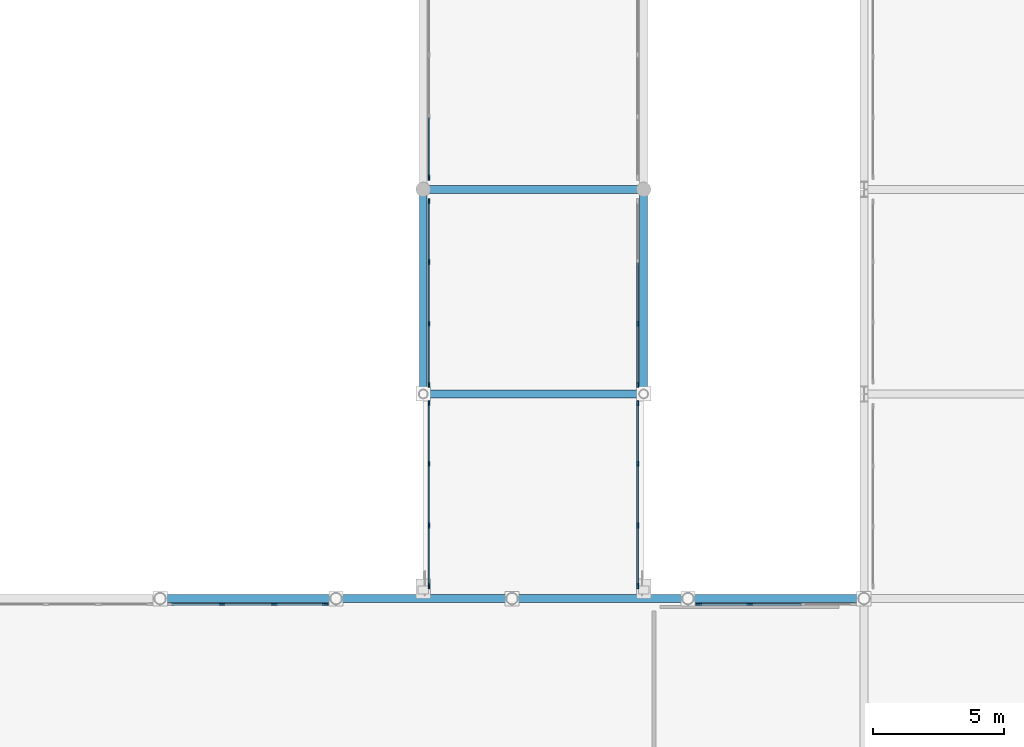
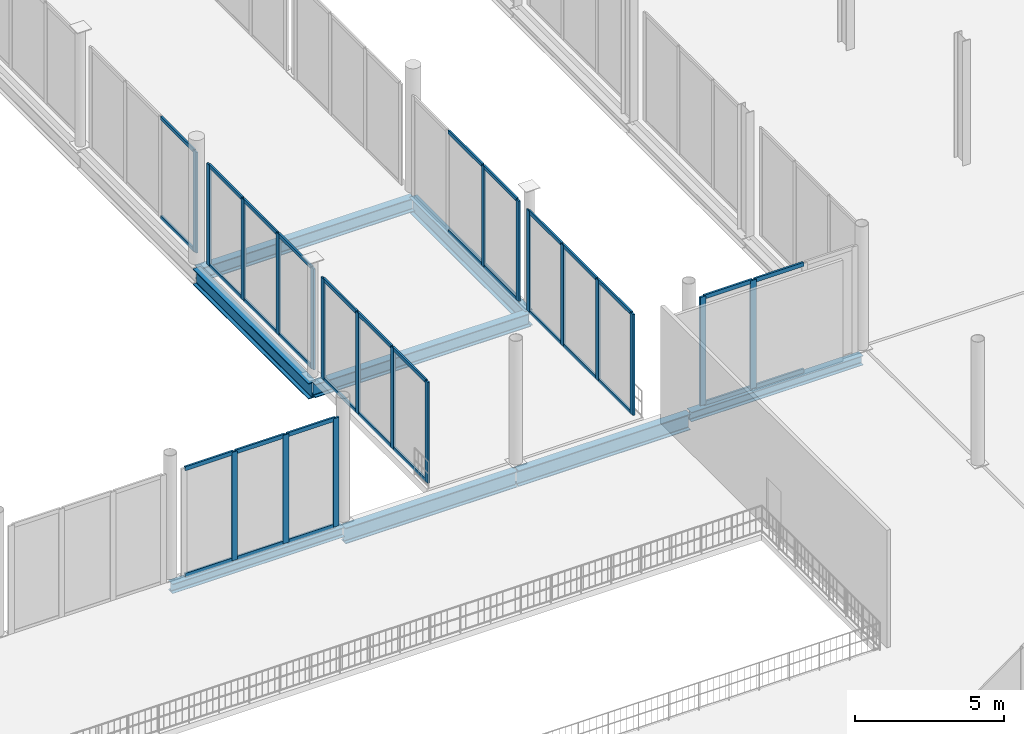
# One storey, part 37 of 105: 54 members, 8 beams, 7 elements without a shape of their own.
"""IFC4 building model written with IfcOpenShell, lengths in metres."""

from ifc_helpers import new_model, si_unit, direction, frame, origin, origin_2d, place, context, subcontext, project, spatial, rectangle, i_section, extrude, material, material_profile, profile_set, type_object, element, aggregate, save


model = new_model("IFC4")

# Units and contexts
model_context = context("Model", 3, precision=1e-05, world=origin(), true_north=direction((0.0, 1.0)))
body_context = subcontext(model_context, "Body", "Model", "MODEL_VIEW")
ifc_project = project(units=[si_unit("LENGTHUNIT", "METRE"), si_unit("AREAUNIT", "SQUARE_METRE"), si_unit("VOLUMEUNIT", "CUBIC_METRE"), si_unit("PLANEANGLEUNIT", "RADIAN"), si_unit("MASSUNIT", "GRAM", prefix="KILO")], contexts=[model_context])

# Site, building, storey
site_placement = place(None, origin())
site = spatial("IfcSite", under=ifc_project, at=site_placement, CompositionType="ELEMENT")
building_placement = place(site_placement, origin())
building = spatial("IfcBuilding", under=site, at=building_placement, Name="Nabrawat Pavilion Hospital", CompositionType="ELEMENT")
storey_placement = place(building_placement, frame((0.0, 0.0, 5.10009765625)))
storey = spatial("IfcBuildingStorey", under=building, at=storey_placement, Name="L01", CompositionType="ELEMENT", Elevation=5.10009765625)

# Beams
ifc_material_1 = material(Name="Steel S355", Category="steel")
ifc_material_profile_1 = material_profile(ifc_material_1, i_section(OverallWidth=0.300048828125, OverallDepth=0.64990234375, WebThickness=0.01611328125, FlangeThickness=0.031005859375, FilletRadius=0.027099609375, at=origin_2d()), Name="HEB 650")
ifc_profile_set_1 = profile_set([ifc_material_profile_1], Name="Steel S355")
beam_type_1 = type_object("IfcBeamType", Name="Courtyard Link Bridge Edge Girder HEB 650", PredefinedType="USERDEFINED", material=ifc_profile_set_1)
for number, where, z_axis, x_axis, name in (
    (1, (105.89599609375, 39.0, -0.614990234375), (1.0, 0.0, 0.0), (0.0, 1.0, 0.0), "L01 Courtyard Link Bridge Girder 525"),
    (2, (112.60400390625, 39.0, -0.614990234375), (1.0, 0.0, 0.0), (0.0, 1.0, 0.0), "L01 Courtyard Link Bridge Girder 526"),
):
    element("IfcBeam", number, at=place(storey_placement, frame(where, z_axis=z_axis, x_axis=x_axis)), inside=storey, type_object=beam_type_1, Name=name, ObjectType="GIRDER", PredefinedType="USERDEFINED", context=body_context, shape_type="SweptSolid", body=[
        extrude(i_section(OverallWidth=0.300048828125, OverallDepth=0.64990234375, WebThickness=0.01611328125, FlangeThickness=0.031005859375, FilletRadius=0.027099609375, at=origin_2d()), origin(), (0.0, 0.0, 1.0), 6.66796875),
    ])
for number, where, z_axis, x_axis, name in (
    (3, (109.199951171875, 46.820068359375, -0.614990234375), (0.0, 1.0, 0.0), (-1.0, 0.0, 0.0), "L01 Courtyard Link Bridge Edge Girder 780"),
    (4, (117.60009765625, 46.820068359375, -0.614990234375), (0.0, 1.0, 0.0), (-1.0, 0.0, 0.0), "L01 Courtyard Link Bridge Edge Girder 789"),
):
    element("IfcBeam", number, at=place(storey_placement, frame(where, z_axis=z_axis, x_axis=x_axis)), inside=storey, type_object=beam_type_1, Name=name, ObjectType="GIRDER", PredefinedType="USERDEFINED", context=body_context, shape_type="SweptSolid", body=[
        extrude(i_section(OverallWidth=0.300048828125, OverallDepth=0.64990234375, WebThickness=0.01611328125, FlangeThickness=0.031005859375, FilletRadius=0.027099609375, at=origin_2d()), origin(), (0.0, 0.0, 1.0), 7.760009765625),
    ])

# Curtain wall, members
ifc_material_2 = material(Name="Anodised Aluminium", Category="aluminium")
curtain_wall_type_1 = type_object("IfcCurtainWallType", Name="Courtyard Link Bridge Glazed Curtain Wall", PredefinedType="USERDEFINED", material=ifc_material_2)
curtain_wall_1_placement = place(storey_placement, origin())
curtain_wall_1 = element("IfcCurtainWall", 5, at=curtain_wall_1_placement, inside=storey, type_object=curtain_wall_type_1, Name="L01 Courtyard Link Bridge Glazed Curtain Wall 071", ObjectType="CURTAIN WALL", PredefinedType="USERDEFINED")
ifc_material_profile_2 = material_profile(ifc_material_2, rectangle(XDim=0.070068359375, YDim=0.199951171875, at=origin_2d()), Name="CWM 70x200")
ifc_profile_set_2 = profile_set([ifc_material_profile_2], Name="Anodised Aluminium")
member_type_1 = type_object("IfcMemberType", Name="Courtyard Link Bridge Glazed Curtain Wall Mullion CWM 70x200", PredefinedType="MULLION", material=ifc_profile_set_2)
member_1_placement = place(storey_placement, frame((109.419921875, 39.47509765625, 0.0), z_axis=(0.0, 0.0, 1.0), x_axis=(-1.0, 0.0, 0.0)))
member_1 = element("IfcMember", 6, at=member_1_placement, type_object=member_type_1, Name="CW-BRG-01 mullion 1", PredefinedType="MULLION", context=body_context, shape_type="SweptSolid", body=[
    extrude(rectangle(XDim=0.070068359375, YDim=0.199951171875, at=origin_2d()), origin(), (0.0, 0.0, 1.0), 4.139892578125),
])
member_2_placement = place(storey_placement, frame((109.419921875, 41.787353515625, 0.0), z_axis=(0.0, 0.0, 1.0), x_axis=(-1.0, 0.0, 0.0)))
member_2 = element("IfcMember", 7, at=member_2_placement, type_object=member_type_1, Name="CW-BRG-01 mullion 2", PredefinedType="MULLION", context=body_context, shape_type="SweptSolid", body=[
    extrude(rectangle(XDim=0.070068359375, YDim=0.199951171875, at=origin_2d()), origin(), (0.0, 0.0, 1.0), 4.139892578125),
])
member_3_placement = place(storey_placement, frame((109.419921875, 44.134765625, 0.0), z_axis=(0.0, 0.0, 1.0), x_axis=(-1.0, 0.0, 0.0)))
member_3 = element("IfcMember", 8, at=member_3_placement, type_object=member_type_1, Name="CW-BRG-01 mullion 3", PredefinedType="MULLION", context=body_context, shape_type="SweptSolid", body=[
    extrude(rectangle(XDim=0.070068359375, YDim=0.199951171875, at=origin_2d()), origin(), (0.0, 0.0, 1.0), 4.139892578125),
])
member_4_placement = place(storey_placement, frame((109.419921875, 46.447265625, 0.0), z_axis=(0.0, 0.0, 1.0), x_axis=(-1.0, 0.0, 0.0)))
member_4 = element("IfcMember", 9, at=member_4_placement, type_object=member_type_1, Name="CW-BRG-01 mullion 4", PredefinedType="MULLION", context=body_context, shape_type="SweptSolid", body=[
    extrude(rectangle(XDim=0.070068359375, YDim=0.199951171875, at=origin_2d()), origin(), (0.0, 0.0, 1.0), 4.139892578125),
])

curtain_wall_2_placement = place(storey_placement, origin())
curtain_wall_2 = element("IfcCurtainWall", 10, at=curtain_wall_2_placement, inside=storey, type_object=curtain_wall_type_1, Name="L01 Courtyard Link Bridge Glazed Curtain Wall 072", ObjectType="CURTAIN WALL", PredefinedType="USERDEFINED")
member_5_placement = place(storey_placement, frame((109.419921875, 47.15283203125, 0.0), z_axis=(0.0, 0.0, 1.0), x_axis=(-1.0, 0.0, 0.0)))
member_5 = element("IfcMember", 11, at=member_5_placement, type_object=member_type_1, Name="CW-BRG-01 mullion 1", PredefinedType="MULLION", context=body_context, shape_type="SweptSolid", body=[
    extrude(rectangle(XDim=0.070068359375, YDim=0.199951171875, at=origin_2d()), origin(), (0.0, 0.0, 1.0), 4.139892578125),
])
member_6_placement = place(storey_placement, frame((109.419921875, 49.4736328125, 0.0), z_axis=(0.0, 0.0, 1.0), x_axis=(-1.0, 0.0, 0.0)))
member_6 = element("IfcMember", 12, at=member_6_placement, type_object=member_type_1, Name="CW-BRG-01 mullion 2", PredefinedType="MULLION", context=body_context, shape_type="SweptSolid", body=[
    extrude(rectangle(XDim=0.070068359375, YDim=0.199951171875, at=origin_2d()), origin(), (0.0, 0.0, 1.0), 4.139892578125),
])
member_7_placement = place(storey_placement, frame((109.419921875, 51.829345703125, 0.0), z_axis=(0.0, 0.0, 1.0), x_axis=(-1.0, 0.0, 0.0)))
member_7 = element("IfcMember", 13, at=member_7_placement, type_object=member_type_1, Name="CW-BRG-01 mullion 3", PredefinedType="MULLION", context=body_context, shape_type="SweptSolid", body=[
    extrude(rectangle(XDim=0.070068359375, YDim=0.199951171875, at=origin_2d()), origin(), (0.0, 0.0, 1.0), 4.139892578125),
])
member_8_placement = place(storey_placement, frame((109.419921875, 54.14990234375, 0.0), z_axis=(0.0, 0.0, 1.0), x_axis=(-1.0, 0.0, 0.0)))
member_8 = element("IfcMember", 14, at=member_8_placement, type_object=member_type_1, Name="CW-BRG-01 mullion 4", PredefinedType="MULLION", context=body_context, shape_type="SweptSolid", body=[
    extrude(rectangle(XDim=0.070068359375, YDim=0.199951171875, at=origin_2d()), origin(), (0.0, 0.0, 1.0), 4.139892578125),
])

# Curtain wall, member
curtain_wall_3_placement = place(storey_placement, origin())
curtain_wall_3 = element("IfcCurtainWall", 15, at=curtain_wall_3_placement, inside=storey, type_object=curtain_wall_type_1, Name="L01 Courtyard Link Bridge Glazed Curtain Wall 073", ObjectType="CURTAIN WALL", PredefinedType="USERDEFINED")
member_9_placement = place(storey_placement, frame((109.419921875, 55.050048828125, 0.0), z_axis=(0.0, 0.0, 1.0), x_axis=(-1.0, 0.0, 0.0)))
member_9 = element("IfcMember", 16, at=member_9_placement, type_object=member_type_1, Name="CW-BRG-01 mullion 1", PredefinedType="MULLION", context=body_context, shape_type="SweptSolid", body=[
    extrude(rectangle(XDim=0.070068359375, YDim=0.199951171875, at=origin_2d()), origin(), (0.0, 0.0, 1.0), 4.139892578125),
])

# Curtain wall, members
curtain_wall_4_placement = place(storey_placement, origin())
curtain_wall_4 = element("IfcCurtainWall", 17, at=curtain_wall_4_placement, inside=storey, type_object=curtain_wall_type_1, Name="L01 Courtyard Link Bridge Glazed Curtain Wall 077", ObjectType="CURTAIN WALL", PredefinedType="USERDEFINED")
member_10_placement = place(storey_placement, frame((117.3798828125, 39.47509765625, 0.0), z_axis=(0.0, 0.0, 1.0), x_axis=(-1.0, 0.0, 0.0)))
member_10 = element("IfcMember", 18, at=member_10_placement, type_object=member_type_1, Name="CW-BRG-01 mullion 1", PredefinedType="MULLION", context=body_context, shape_type="SweptSolid", body=[
    extrude(rectangle(XDim=0.070068359375, YDim=0.199951171875, at=origin_2d()), origin(), (0.0, 0.0, 1.0), 4.139892578125),
])
member_11_placement = place(storey_placement, frame((117.3798828125, 41.787353515625, 0.0), z_axis=(0.0, 0.0, 1.0), x_axis=(-1.0, 0.0, 0.0)))
member_11 = element("IfcMember", 19, at=member_11_placement, type_object=member_type_1, Name="CW-BRG-01 mullion 2", PredefinedType="MULLION", context=body_context, shape_type="SweptSolid", body=[
    extrude(rectangle(XDim=0.070068359375, YDim=0.199951171875, at=origin_2d()), origin(), (0.0, 0.0, 1.0), 4.139892578125),
])
member_12_placement = place(storey_placement, frame((117.3798828125, 44.134765625, 0.0), z_axis=(0.0, 0.0, 1.0), x_axis=(-1.0, 0.0, 0.0)))
member_12 = element("IfcMember", 20, at=member_12_placement, type_object=member_type_1, Name="CW-BRG-01 mullion 3", PredefinedType="MULLION", context=body_context, shape_type="SweptSolid", body=[
    extrude(rectangle(XDim=0.070068359375, YDim=0.199951171875, at=origin_2d()), origin(), (0.0, 0.0, 1.0), 4.139892578125),
])
member_13_placement = place(storey_placement, frame((117.3798828125, 46.447265625, 0.0), z_axis=(0.0, 0.0, 1.0), x_axis=(-1.0, 0.0, 0.0)))
member_13 = element("IfcMember", 21, at=member_13_placement, type_object=member_type_1, Name="CW-BRG-01 mullion 4", PredefinedType="MULLION", context=body_context, shape_type="SweptSolid", body=[
    extrude(rectangle(XDim=0.070068359375, YDim=0.199951171875, at=origin_2d()), origin(), (0.0, 0.0, 1.0), 4.139892578125),
])

curtain_wall_5_placement = place(storey_placement, origin())
curtain_wall_5 = element("IfcCurtainWall", 22, at=curtain_wall_5_placement, inside=storey, type_object=curtain_wall_type_1, Name="L01 Courtyard Link Bridge Glazed Curtain Wall 078", ObjectType="CURTAIN WALL", PredefinedType="USERDEFINED")
member_14_placement = place(storey_placement, frame((117.3798828125, 47.15283203125, 0.0), z_axis=(0.0, 0.0, 1.0), x_axis=(-1.0, 0.0, 0.0)))
member_14 = element("IfcMember", 23, at=member_14_placement, type_object=member_type_1, Name="CW-BRG-01 mullion 1", PredefinedType="MULLION", context=body_context, shape_type="SweptSolid", body=[
    extrude(rectangle(XDim=0.070068359375, YDim=0.199951171875, at=origin_2d()), origin(), (0.0, 0.0, 1.0), 4.139892578125),
])
member_15_placement = place(storey_placement, frame((117.3798828125, 49.4736328125, 0.0), z_axis=(0.0, 0.0, 1.0), x_axis=(-1.0, 0.0, 0.0)))
member_15 = element("IfcMember", 24, at=member_15_placement, type_object=member_type_1, Name="CW-BRG-01 mullion 2", PredefinedType="MULLION", context=body_context, shape_type="SweptSolid", body=[
    extrude(rectangle(XDim=0.070068359375, YDim=0.199951171875, at=origin_2d()), origin(), (0.0, 0.0, 1.0), 4.139892578125),
])

# Member
ifc_material_profile_3 = material_profile(ifc_material_2, rectangle(XDim=0.070068359375, YDim=0.14990234375, at=origin_2d()), Name="CWT 70x150")
ifc_profile_set_3 = profile_set([ifc_material_profile_3], Name="Anodised Aluminium")
member_type_2 = type_object("IfcMemberType", Name="Courtyard Link Bridge Glazed Curtain Wall Transom CWT 70x150", PredefinedType="USERDEFINED", material=ifc_profile_set_3)
member_16_placement = place(storey_placement, frame((109.419921875, 39.510009765625, 0.034912109375), z_axis=(0.0, 1.0, 0.0), x_axis=(-1.0, 0.0, 0.0)))
member_16 = element("IfcMember", 25, at=member_16_placement, type_object=member_type_2, Name="CW-BRG-01 transom 1.1", ObjectType="TRANSOM", PredefinedType="USERDEFINED", context=body_context, shape_type="SweptSolid", body=[
    extrude(rectangle(XDim=0.070068359375, YDim=0.14990234375, at=origin_2d()), origin(), (0.0, 0.0, 1.0), 2.242431640625),
])

member_17_placement = place(storey_placement, frame((109.419921875, 39.510009765625, 4.10498046875), z_axis=(0.0, 1.0, 0.0), x_axis=(-1.0, 0.0, 0.0)))
member_17 = element("IfcMember", 26, at=member_17_placement, type_object=member_type_2, Name="CW-BRG-01 transom 1.2", ObjectType="TRANSOM", PredefinedType="USERDEFINED", context=body_context, shape_type="SweptSolid", body=[
    extrude(rectangle(XDim=0.070068359375, YDim=0.14990234375, at=origin_2d()), origin(), (0.0, 0.0, 1.0), 2.242431640625),
])

member_18_placement = place(storey_placement, frame((109.419921875, 41.822509765625, 0.034912109375), z_axis=(0.0, 1.0, 0.0), x_axis=(-1.0, 0.0, 0.0)))
member_18 = element("IfcMember", 27, at=member_18_placement, type_object=member_type_2, Name="CW-BRG-01 transom 2.1", ObjectType="TRANSOM", PredefinedType="USERDEFINED", context=body_context, shape_type="SweptSolid", body=[
    extrude(rectangle(XDim=0.070068359375, YDim=0.14990234375, at=origin_2d()), origin(), (0.0, 0.0, 1.0), 2.27734375),
])

member_19_placement = place(storey_placement, frame((109.419921875, 41.822509765625, 4.10498046875), z_axis=(0.0, 1.0, 0.0), x_axis=(-1.0, 0.0, 0.0)))
member_19 = element("IfcMember", 28, at=member_19_placement, type_object=member_type_2, Name="CW-BRG-01 transom 2.2", ObjectType="TRANSOM", PredefinedType="USERDEFINED", context=body_context, shape_type="SweptSolid", body=[
    extrude(rectangle(XDim=0.070068359375, YDim=0.14990234375, at=origin_2d()), origin(), (0.0, 0.0, 1.0), 2.27734375),
])

member_20_placement = place(storey_placement, frame((109.419921875, 44.169921875, 0.034912109375), z_axis=(0.0, 1.0, 0.0), x_axis=(-1.0, 0.0, 0.0)))
member_20 = element("IfcMember", 29, at=member_20_placement, type_object=member_type_2, Name="CW-BRG-01 transom 3.1", ObjectType="TRANSOM", PredefinedType="USERDEFINED", context=body_context, shape_type="SweptSolid", body=[
    extrude(rectangle(XDim=0.070068359375, YDim=0.14990234375, at=origin_2d()), origin(), (0.0, 0.0, 1.0), 2.2421875),
])

member_21_placement = place(storey_placement, frame((109.419921875, 44.169921875, 4.10498046875), z_axis=(0.0, 1.0, 0.0), x_axis=(-1.0, 0.0, 0.0)))
member_21 = element("IfcMember", 30, at=member_21_placement, type_object=member_type_2, Name="CW-BRG-01 transom 3.2", ObjectType="TRANSOM", PredefinedType="USERDEFINED", context=body_context, shape_type="SweptSolid", body=[
    extrude(rectangle(XDim=0.070068359375, YDim=0.14990234375, at=origin_2d()), origin(), (0.0, 0.0, 1.0), 2.2421875),
])

aggregate(curtain_wall_1, [member_1, member_2, member_3, member_4, member_16, member_17, member_18, member_19, member_20, member_21])

member_22_placement = place(storey_placement, frame((109.419921875, 47.187744140625, 0.034912109375), z_axis=(0.0, 1.0, 0.0), x_axis=(-1.0, 0.0, 0.0)))
member_22 = element("IfcMember", 31, at=member_22_placement, type_object=member_type_2, Name="CW-BRG-01 transom 1.1", ObjectType="TRANSOM", PredefinedType="USERDEFINED", context=body_context, shape_type="SweptSolid", body=[
    extrude(rectangle(XDim=0.070068359375, YDim=0.14990234375, at=origin_2d()), origin(), (0.0, 0.0, 1.0), 2.250732421875),
])

member_23_placement = place(storey_placement, frame((109.419921875, 47.187744140625, 4.10498046875), z_axis=(0.0, 1.0, 0.0), x_axis=(-1.0, 0.0, 0.0)))
member_23 = element("IfcMember", 32, at=member_23_placement, type_object=member_type_2, Name="CW-BRG-01 transom 1.2", ObjectType="TRANSOM", PredefinedType="USERDEFINED", context=body_context, shape_type="SweptSolid", body=[
    extrude(rectangle(XDim=0.070068359375, YDim=0.14990234375, at=origin_2d()), origin(), (0.0, 0.0, 1.0), 2.250732421875),
])

member_24_placement = place(storey_placement, frame((109.419921875, 49.508544921875, 0.034912109375), z_axis=(0.0, 1.0, 0.0), x_axis=(-1.0, 0.0, 0.0)))
member_24 = element("IfcMember", 33, at=member_24_placement, type_object=member_type_2, Name="CW-BRG-01 transom 2.1", ObjectType="TRANSOM", PredefinedType="USERDEFINED", context=body_context, shape_type="SweptSolid", body=[
    extrude(rectangle(XDim=0.070068359375, YDim=0.14990234375, at=origin_2d()), origin(), (0.0, 0.0, 1.0), 2.28564453125),
])

member_25_placement = place(storey_placement, frame((109.419921875, 49.508544921875, 4.10498046875), z_axis=(0.0, 1.0, 0.0), x_axis=(-1.0, 0.0, 0.0)))
member_25 = element("IfcMember", 34, at=member_25_placement, type_object=member_type_2, Name="CW-BRG-01 transom 2.2", ObjectType="TRANSOM", PredefinedType="USERDEFINED", context=body_context, shape_type="SweptSolid", body=[
    extrude(rectangle(XDim=0.070068359375, YDim=0.14990234375, at=origin_2d()), origin(), (0.0, 0.0, 1.0), 2.28564453125),
])

member_26_placement = place(storey_placement, frame((109.419921875, 51.8642578125, 0.034912109375), z_axis=(0.0, 1.0, 0.0), x_axis=(-1.0, 0.0, 0.0)))
member_26 = element("IfcMember", 35, at=member_26_placement, type_object=member_type_2, Name="CW-BRG-01 transom 3.1", ObjectType="TRANSOM", PredefinedType="USERDEFINED", context=body_context, shape_type="SweptSolid", body=[
    extrude(rectangle(XDim=0.070068359375, YDim=0.14990234375, at=origin_2d()), origin(), (0.0, 0.0, 1.0), 2.250732421875),
])

member_27_placement = place(storey_placement, frame((109.419921875, 51.8642578125, 4.10498046875), z_axis=(0.0, 1.0, 0.0), x_axis=(-1.0, 0.0, 0.0)))
member_27 = element("IfcMember", 36, at=member_27_placement, type_object=member_type_2, Name="CW-BRG-01 transom 3.2", ObjectType="TRANSOM", PredefinedType="USERDEFINED", context=body_context, shape_type="SweptSolid", body=[
    extrude(rectangle(XDim=0.070068359375, YDim=0.14990234375, at=origin_2d()), origin(), (0.0, 0.0, 1.0), 2.250732421875),
])

aggregate(curtain_wall_2, [member_5, member_6, member_7, member_8, member_22, member_23, member_24, member_25, member_26, member_27])

member_28_placement = place(storey_placement, frame((109.419921875, 55.0849609375, 0.034912109375), z_axis=(0.0, 1.0, 0.0), x_axis=(-1.0, 0.0, 0.0)))
member_28 = element("IfcMember", 37, at=member_28_placement, type_object=member_type_2, Name="CW-BRG-01 transom 1.1", ObjectType="TRANSOM", PredefinedType="USERDEFINED", context=body_context, shape_type="SweptSolid", body=[
    extrude(rectangle(XDim=0.070068359375, YDim=0.14990234375, at=origin_2d()), origin(), (0.0, 0.0, 1.0), 2.250732421875),
])

member_29_placement = place(storey_placement, frame((109.419921875, 55.0849609375, 4.10498046875), z_axis=(0.0, 1.0, 0.0), x_axis=(-1.0, 0.0, 0.0)))
member_29 = element("IfcMember", 38, at=member_29_placement, type_object=member_type_2, Name="CW-BRG-01 transom 1.2", ObjectType="TRANSOM", PredefinedType="USERDEFINED", context=body_context, shape_type="SweptSolid", body=[
    extrude(rectangle(XDim=0.070068359375, YDim=0.14990234375, at=origin_2d()), origin(), (0.0, 0.0, 1.0), 2.250732421875),
])

aggregate(curtain_wall_3, [member_9, member_28, member_29])

member_30_placement = place(storey_placement, frame((117.3798828125, 39.510009765625, 0.034912109375), z_axis=(0.0, 1.0, 0.0), x_axis=(-1.0, 0.0, 0.0)))
member_30 = element("IfcMember", 39, at=member_30_placement, type_object=member_type_2, Name="CW-BRG-01 transom 1.1", ObjectType="TRANSOM", PredefinedType="USERDEFINED", context=body_context, shape_type="SweptSolid", body=[
    extrude(rectangle(XDim=0.070068359375, YDim=0.14990234375, at=origin_2d()), origin(), (0.0, 0.0, 1.0), 2.242431640625),
])

member_31_placement = place(storey_placement, frame((117.3798828125, 39.510009765625, 4.10498046875), z_axis=(0.0, 1.0, 0.0), x_axis=(-1.0, 0.0, 0.0)))
member_31 = element("IfcMember", 40, at=member_31_placement, type_object=member_type_2, Name="CW-BRG-01 transom 1.2", ObjectType="TRANSOM", PredefinedType="USERDEFINED", context=body_context, shape_type="SweptSolid", body=[
    extrude(rectangle(XDim=0.070068359375, YDim=0.14990234375, at=origin_2d()), origin(), (0.0, 0.0, 1.0), 2.242431640625),
])

member_32_placement = place(storey_placement, frame((117.3798828125, 41.822509765625, 0.034912109375), z_axis=(0.0, 1.0, 0.0), x_axis=(-1.0, 0.0, 0.0)))
member_32 = element("IfcMember", 41, at=member_32_placement, type_object=member_type_2, Name="CW-BRG-01 transom 2.1", ObjectType="TRANSOM", PredefinedType="USERDEFINED", context=body_context, shape_type="SweptSolid", body=[
    extrude(rectangle(XDim=0.070068359375, YDim=0.14990234375, at=origin_2d()), origin(), (0.0, 0.0, 1.0), 2.27734375),
])

member_33_placement = place(storey_placement, frame((117.3798828125, 41.822509765625, 4.10498046875), z_axis=(0.0, 1.0, 0.0), x_axis=(-1.0, 0.0, 0.0)))
member_33 = element("IfcMember", 42, at=member_33_placement, type_object=member_type_2, Name="CW-BRG-01 transom 2.2", ObjectType="TRANSOM", PredefinedType="USERDEFINED", context=body_context, shape_type="SweptSolid", body=[
    extrude(rectangle(XDim=0.070068359375, YDim=0.14990234375, at=origin_2d()), origin(), (0.0, 0.0, 1.0), 2.27734375),
])

member_34_placement = place(storey_placement, frame((117.3798828125, 44.169921875, 0.034912109375), z_axis=(0.0, 1.0, 0.0), x_axis=(-1.0, 0.0, 0.0)))
member_34 = element("IfcMember", 43, at=member_34_placement, type_object=member_type_2, Name="CW-BRG-01 transom 3.1", ObjectType="TRANSOM", PredefinedType="USERDEFINED", context=body_context, shape_type="SweptSolid", body=[
    extrude(rectangle(XDim=0.070068359375, YDim=0.14990234375, at=origin_2d()), origin(), (0.0, 0.0, 1.0), 2.2421875),
])

member_35_placement = place(storey_placement, frame((117.3798828125, 44.169921875, 4.10498046875), z_axis=(0.0, 1.0, 0.0), x_axis=(-1.0, 0.0, 0.0)))
member_35 = element("IfcMember", 44, at=member_35_placement, type_object=member_type_2, Name="CW-BRG-01 transom 3.2", ObjectType="TRANSOM", PredefinedType="USERDEFINED", context=body_context, shape_type="SweptSolid", body=[
    extrude(rectangle(XDim=0.070068359375, YDim=0.14990234375, at=origin_2d()), origin(), (0.0, 0.0, 1.0), 2.2421875),
])

aggregate(curtain_wall_4, [member_10, member_11, member_12, member_13, member_30, member_31, member_32, member_33, member_34, member_35])

member_36_placement = place(storey_placement, frame((117.3798828125, 47.187744140625, 0.034912109375), z_axis=(0.0, 1.0, 0.0), x_axis=(-1.0, 0.0, 0.0)))
member_36 = element("IfcMember", 45, at=member_36_placement, type_object=member_type_2, Name="CW-BRG-01 transom 1.1", ObjectType="TRANSOM", PredefinedType="USERDEFINED", context=body_context, shape_type="SweptSolid", body=[
    extrude(rectangle(XDim=0.070068359375, YDim=0.14990234375, at=origin_2d()), origin(), (0.0, 0.0, 1.0), 2.250732421875),
])

member_37_placement = place(storey_placement, frame((117.3798828125, 47.187744140625, 4.10498046875), z_axis=(0.0, 1.0, 0.0), x_axis=(-1.0, 0.0, 0.0)))
member_37 = element("IfcMember", 46, at=member_37_placement, type_object=member_type_2, Name="CW-BRG-01 transom 1.2", ObjectType="TRANSOM", PredefinedType="USERDEFINED", context=body_context, shape_type="SweptSolid", body=[
    extrude(rectangle(XDim=0.070068359375, YDim=0.14990234375, at=origin_2d()), origin(), (0.0, 0.0, 1.0), 2.250732421875),
])

member_38_placement = place(storey_placement, frame((117.3798828125, 49.508544921875, 0.034912109375), z_axis=(0.0, 1.0, 0.0), x_axis=(-1.0, 0.0, 0.0)))
member_38 = element("IfcMember", 47, at=member_38_placement, type_object=member_type_2, Name="CW-BRG-01 transom 2.1", ObjectType="TRANSOM", PredefinedType="USERDEFINED", context=body_context, shape_type="SweptSolid", body=[
    extrude(rectangle(XDim=0.070068359375, YDim=0.14990234375, at=origin_2d()), origin(), (0.0, 0.0, 1.0), 2.28564453125),
])

member_39_placement = place(storey_placement, frame((117.3798828125, 49.508544921875, 4.10498046875), z_axis=(0.0, 1.0, 0.0), x_axis=(-1.0, 0.0, 0.0)))
member_39 = element("IfcMember", 48, at=member_39_placement, type_object=member_type_2, Name="CW-BRG-01 transom 2.2", ObjectType="TRANSOM", PredefinedType="USERDEFINED", context=body_context, shape_type="SweptSolid", body=[
    extrude(rectangle(XDim=0.070068359375, YDim=0.14990234375, at=origin_2d()), origin(), (0.0, 0.0, 1.0), 2.28564453125),
])

aggregate(curtain_wall_5, [member_14, member_15, member_36, member_37, member_38, member_39])

# Curtain wall, members
curtain_wall_type_2 = type_object("IfcCurtainWallType", Name="Main Hall Pavilion Unitised Curtain Wall", PredefinedType="USERDEFINED", material=ifc_material_2)
curtain_wall_6_placement = place(storey_placement, origin())
curtain_wall_6 = element("IfcCurtainWall", 49, at=curtain_wall_6_placement, inside=storey, type_object=curtain_wall_type_2, Name="L01 Main Hall Pavilion Unitised Curtain Wall 067", ObjectType="CURTAIN WALL", PredefinedType="USERDEFINED")
ifc_material_profile_4 = material_profile(ifc_material_2, rectangle(XDim=0.074951171875, YDim=0.219970703125, at=origin_2d()), Name="CWM 75x220")
ifc_profile_set_4 = profile_set([ifc_material_profile_4], Name="Anodised Aluminium")
member_type_3 = type_object("IfcMemberType", Name="Main Hall Pavilion Unitised Curtain Wall Mullion CWM 75x220", PredefinedType="MULLION", material=ifc_profile_set_4)
member_40_placement = place(storey_placement, frame((101.52685546875, 38.780029296875, 0.0), z_axis=(0.0, 0.0, 1.0), x_axis=(0.0, 1.0, 0.0)))
member_40 = element("IfcMember", 50, at=member_40_placement, type_object=member_type_3, Name="CW-MH-01 mullion 2", PredefinedType="MULLION", context=body_context, shape_type="SweptSolid", body=[
    extrude(rectangle(XDim=0.074951171875, YDim=0.219970703125, at=origin_2d()), origin(), (0.0, 0.0, 1.0), 4.449951171875),
])
member_41_placement = place(storey_placement, frame((103.51708984375, 38.780029296875, 0.0), z_axis=(0.0, 0.0, 1.0), x_axis=(0.0, 1.0, 0.0)))
member_41 = element("IfcMember", 51, at=member_41_placement, type_object=member_type_3, Name="CW-MH-01 mullion 3", PredefinedType="MULLION", context=body_context, shape_type="SweptSolid", body=[
    extrude(rectangle(XDim=0.074951171875, YDim=0.219970703125, at=origin_2d()), origin(), (0.0, 0.0, 1.0), 4.449951171875),
])
member_42_placement = place(storey_placement, frame((105.469970703125, 38.780029296875, 0.0), z_axis=(0.0, 0.0, 1.0), x_axis=(0.0, 1.0, 0.0)))
member_42 = element("IfcMember", 52, at=member_42_placement, type_object=member_type_3, Name="CW-MH-01 mullion 4", PredefinedType="MULLION", context=body_context, shape_type="SweptSolid", body=[
    extrude(rectangle(XDim=0.074951171875, YDim=0.219970703125, at=origin_2d()), origin(), (0.0, 0.0, 1.0), 4.449951171875),
])

curtain_wall_7_placement = place(storey_placement, origin())
curtain_wall_7 = element("IfcCurtainWall", 53, at=curtain_wall_7_placement, inside=storey, type_object=curtain_wall_type_2, Name="L01 Main Hall Pavilion Unitised Curtain Wall 083", ObjectType="CURTAIN WALL", PredefinedType="USERDEFINED")
member_43_placement = place(storey_placement, frame((119.697998046875, 38.780029296875, 0.0), z_axis=(0.0, 0.0, 1.0), x_axis=(0.0, 1.0, 0.0)))
member_43 = element("IfcMember", 54, at=member_43_placement, type_object=member_type_3, Name="CW-MH-01 mullion 1", PredefinedType="MULLION", context=body_context, shape_type="SweptSolid", body=[
    extrude(rectangle(XDim=0.074951171875, YDim=0.219970703125, at=origin_2d()), origin(), (0.0, 0.0, 1.0), 4.43994140625),
])
member_44_placement = place(storey_placement, frame((121.65087890625, 38.780029296875, 0.0), z_axis=(0.0, 0.0, 1.0), x_axis=(0.0, 1.0, 0.0)))
member_44 = element("IfcMember", 55, at=member_44_placement, type_object=member_type_3, Name="CW-MH-01 mullion 2", PredefinedType="MULLION", context=body_context, shape_type="SweptSolid", body=[
    extrude(rectangle(XDim=0.074951171875, YDim=0.219970703125, at=origin_2d()), origin(), (0.0, 0.0, 1.0), 4.43994140625),
])

# Member
ifc_material_profile_5 = material_profile(ifc_material_2, rectangle(XDim=0.074951171875, YDim=0.1650390625, at=origin_2d()), Name="CWT 75x165")
ifc_profile_set_5 = profile_set([ifc_material_profile_5], Name="Anodised Aluminium")
member_type_4 = type_object("IfcMemberType", Name="Main Hall Pavilion Unitised Curtain Wall Transom CWT 75x165", PredefinedType="USERDEFINED", material=ifc_profile_set_5)
member_45_placement = place(storey_placement, frame((99.611572265625, 38.780029296875, 0.037353515625), z_axis=(1.0, 0.0, 0.0), x_axis=(0.0, 1.0, 0.0)))
member_45 = element("IfcMember", 56, at=member_45_placement, type_object=member_type_4, Name="CW-MH-01 transom 1.1", ObjectType="TRANSOM", PredefinedType="USERDEFINED", context=body_context, shape_type="SweptSolid", body=[
    extrude(rectangle(XDim=0.074951171875, YDim=0.1650390625, at=origin_2d()), origin(), (0.0, 0.0, 1.0), 1.877685546875),
])

member_46_placement = place(storey_placement, frame((99.611572265625, 38.780029296875, 4.412353515625), z_axis=(1.0, 0.0, 0.0), x_axis=(0.0, 1.0, 0.0)))
member_46 = element("IfcMember", 57, at=member_46_placement, type_object=member_type_4, Name="CW-MH-01 transom 1.2", ObjectType="TRANSOM", PredefinedType="USERDEFINED", context=body_context, shape_type="SweptSolid", body=[
    extrude(rectangle(XDim=0.074951171875, YDim=0.1650390625, at=origin_2d()), origin(), (0.0, 0.0, 1.0), 1.877685546875),
])

member_47_placement = place(storey_placement, frame((101.564453125, 38.780029296875, 0.037353515625), z_axis=(1.0, 0.0, 0.0), x_axis=(0.0, 1.0, 0.0)))
member_47 = element("IfcMember", 58, at=member_47_placement, type_object=member_type_4, Name="CW-MH-01 transom 2.1", ObjectType="TRANSOM", PredefinedType="USERDEFINED", context=body_context, shape_type="SweptSolid", body=[
    extrude(rectangle(XDim=0.074951171875, YDim=0.1650390625, at=origin_2d()), origin(), (0.0, 0.0, 1.0), 1.915283203125),
])

member_48_placement = place(storey_placement, frame((101.564453125, 38.780029296875, 4.412353515625), z_axis=(1.0, 0.0, 0.0), x_axis=(0.0, 1.0, 0.0)))
member_48 = element("IfcMember", 59, at=member_48_placement, type_object=member_type_4, Name="CW-MH-01 transom 2.2", ObjectType="TRANSOM", PredefinedType="USERDEFINED", context=body_context, shape_type="SweptSolid", body=[
    extrude(rectangle(XDim=0.074951171875, YDim=0.1650390625, at=origin_2d()), origin(), (0.0, 0.0, 1.0), 1.915283203125),
])

member_49_placement = place(storey_placement, frame((103.5546875, 38.780029296875, 0.037353515625), z_axis=(1.0, 0.0, 0.0), x_axis=(0.0, 1.0, 0.0)))
member_49 = element("IfcMember", 60, at=member_49_placement, type_object=member_type_4, Name="CW-MH-01 transom 3.1", ObjectType="TRANSOM", PredefinedType="USERDEFINED", context=body_context, shape_type="SweptSolid", body=[
    extrude(rectangle(XDim=0.074951171875, YDim=0.1650390625, at=origin_2d()), origin(), (0.0, 0.0, 1.0), 1.8779296875),
])

member_50_placement = place(storey_placement, frame((103.5546875, 38.780029296875, 4.412353515625), z_axis=(1.0, 0.0, 0.0), x_axis=(0.0, 1.0, 0.0)))
member_50 = element("IfcMember", 61, at=member_50_placement, type_object=member_type_4, Name="CW-MH-01 transom 3.2", ObjectType="TRANSOM", PredefinedType="USERDEFINED", context=body_context, shape_type="SweptSolid", body=[
    extrude(rectangle(XDim=0.074951171875, YDim=0.1650390625, at=origin_2d()), origin(), (0.0, 0.0, 1.0), 1.8779296875),
])

aggregate(curtain_wall_6, [member_40, member_41, member_42, member_45, member_46, member_47, member_48, member_49, member_50])

member_51_placement = place(storey_placement, frame((119.735595703125, 38.780029296875, 0.037353515625), z_axis=(1.0, 0.0, 0.0), x_axis=(0.0, 1.0, 0.0)))
member_51 = element("IfcMember", 62, at=member_51_placement, type_object=member_type_4, Name="CW-MH-01 transom 1.1", ObjectType="TRANSOM", PredefinedType="USERDEFINED", context=body_context, shape_type="SweptSolid", body=[
    extrude(rectangle(XDim=0.074951171875, YDim=0.1650390625, at=origin_2d()), origin(), (0.0, 0.0, 1.0), 1.877685546875),
])

member_52_placement = place(storey_placement, frame((119.735595703125, 38.780029296875, 4.40234375), z_axis=(1.0, 0.0, 0.0), x_axis=(0.0, 1.0, 0.0)))
member_52 = element("IfcMember", 63, at=member_52_placement, type_object=member_type_4, Name="CW-MH-01 transom 1.2", ObjectType="TRANSOM", PredefinedType="USERDEFINED", context=body_context, shape_type="SweptSolid", body=[
    extrude(rectangle(XDim=0.074951171875, YDim=0.1650390625, at=origin_2d()), origin(), (0.0, 0.0, 1.0), 1.877685546875),
])

member_53_placement = place(storey_placement, frame((121.688232421875, 38.780029296875, 0.037353515625), z_axis=(1.0, 0.0, 0.0), x_axis=(0.0, 1.0, 0.0)))
member_53 = element("IfcMember", 64, at=member_53_placement, type_object=member_type_4, Name="CW-MH-01 transom 2.1", ObjectType="TRANSOM", PredefinedType="USERDEFINED", context=body_context, shape_type="SweptSolid", body=[
    extrude(rectangle(XDim=0.074951171875, YDim=0.1650390625, at=origin_2d()), origin(), (0.0, 0.0, 1.0), 1.91552734375),
])

member_54_placement = place(storey_placement, frame((121.688232421875, 38.780029296875, 4.40234375), z_axis=(1.0, 0.0, 0.0), x_axis=(0.0, 1.0, 0.0)))
member_54 = element("IfcMember", 65, at=member_54_placement, type_object=member_type_4, Name="CW-MH-01 transom 2.2", ObjectType="TRANSOM", PredefinedType="USERDEFINED", context=body_context, shape_type="SweptSolid", body=[
    extrude(rectangle(XDim=0.074951171875, YDim=0.1650390625, at=origin_2d()), origin(), (0.0, 0.0, 1.0), 1.91552734375),
])

aggregate(curtain_wall_7, [member_43, member_44, member_51, member_52, member_53, member_54])

# Beams
ifc_material_profile_6 = material_profile(ifc_material_1, i_section(OverallWidth=0.300048828125, OverallDepth=0.389892578125, WebThickness=0.010986328125, FlangeThickness=0.01904296875, FilletRadius=0.027099609375, at=origin_2d()), Name="HEA 400")
ifc_profile_set_6 = profile_set([ifc_material_profile_6], Name="Steel S355")
beam_type_2 = type_object("IfcBeamType", Name="Perimeter Moment Spandrel Beam HEA 400", PredefinedType="SPANDREL", material=ifc_profile_set_6)
for number, where, z_axis, x_axis, name in (
    (66, (99.18798828125, 39.0, -0.43505859375), (1.0, 0.0, 0.0), (0.0, 1.0, 0.0), "L01 Primary X Girder 524"),
    (67, (119.31201171875, 39.0, -0.43505859375), (1.0, 0.0, 0.0), (0.0, 1.0, 0.0), "L01 Primary X Girder 527"),
):
    element("IfcBeam", number, at=place(storey_placement, frame(where, z_axis=z_axis, x_axis=x_axis)), inside=storey, type_object=beam_type_2, Name=name, PredefinedType="SPANDREL", context=body_context, shape_type="SweptSolid", body=[
        extrude(i_section(OverallWidth=0.300048828125, OverallDepth=0.389892578125, WebThickness=0.010986328125, FlangeThickness=0.01904296875, FilletRadius=0.027099609375, at=origin_2d()), origin(), (0.0, 0.0, 1.0), 6.66796875),
    ])
ifc_material_profile_7 = material_profile(ifc_material_1, i_section(OverallWidth=0.300048828125, OverallDepth=0.550048828125, WebThickness=0.014892578125, FlangeThickness=0.029052734375, FilletRadius=0.027099609375, at=origin_2d()), Name="HEB 550")
ifc_profile_set_7 = profile_set([ifc_material_profile_7], Name="Steel S355")
beam_type_3 = type_object("IfcBeamType", Name="Primary Floor Girder HEB 550", PredefinedType="USERDEFINED", material=ifc_profile_set_7)
for number, where, z_axis, x_axis, name in (
    (68, (109.219970703125, 46.800048828125, -0.565185546875), (1.0, 0.0, 0.0), (0.0, 1.0, 0.0), "L01 Courtyard Link Bridge Girder 539"),
    (69, (109.219970703125, 54.60009765625, -0.565185546875), (1.0, 0.0, 0.0), (0.0, 1.0, 0.0), "L01 Courtyard Link Bridge Girder 553"),
):
    element("IfcBeam", number, at=place(storey_placement, frame(where, z_axis=z_axis, x_axis=x_axis)), inside=storey, type_object=beam_type_3, Name=name, ObjectType="GIRDER", PredefinedType="USERDEFINED", context=body_context, shape_type="SweptSolid", body=[
        extrude(i_section(OverallWidth=0.300048828125, OverallDepth=0.550048828125, WebThickness=0.014892578125, FlangeThickness=0.029052734375, FilletRadius=0.027099609375, at=origin_2d()), origin(), (0.0, 0.0, 1.0), 8.360107421875),
    ])

save(model, "model.ifc")
